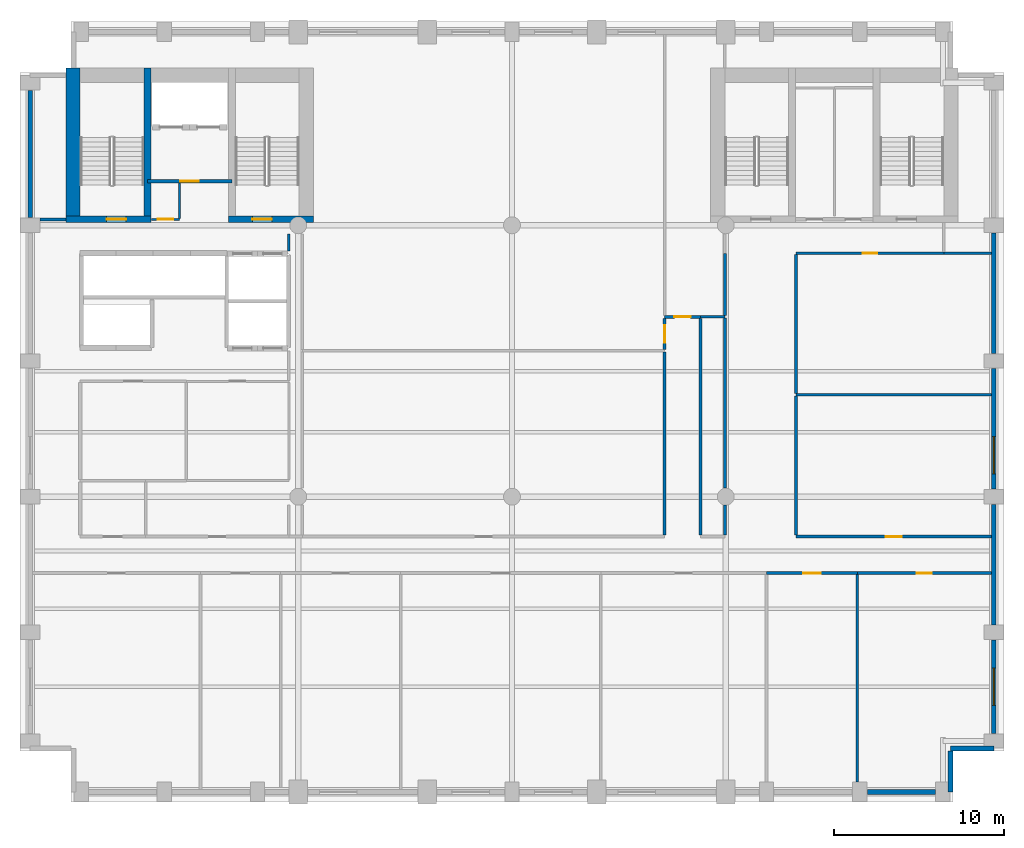
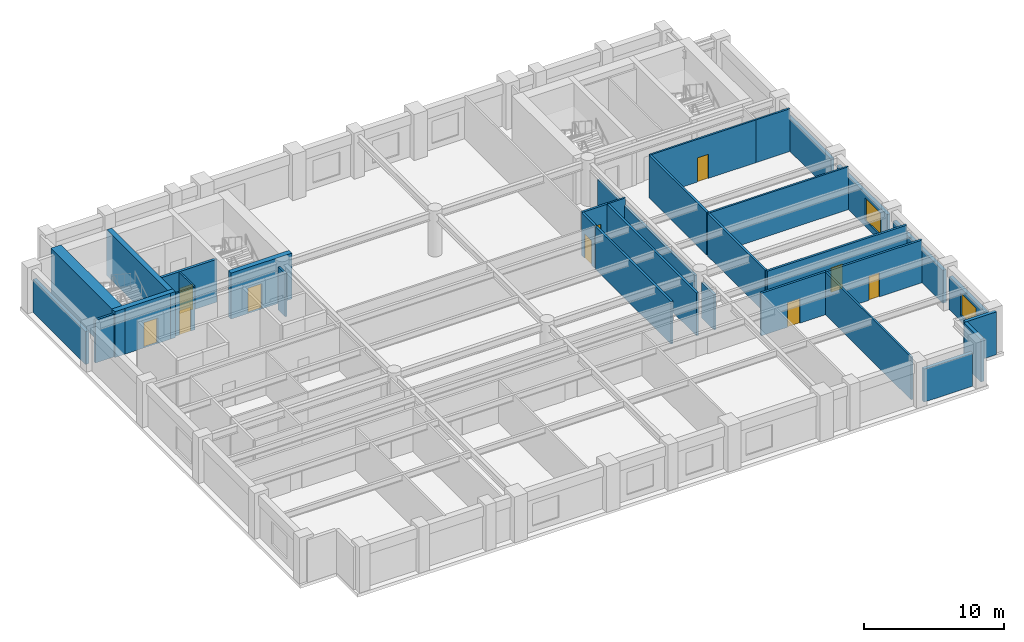
# One storey, part 4 of 8: 34 walls, 10 doors, 2 windows, 12 openings.
"""IFC4 building model written with IfcOpenShell, lengths in metres."""

from ifc_helpers import new_model, si_unit, direction, frame, frame_2d, origin, place, context, subcontext, project, spatial, rectangle, extrude, material, layer, layer_set, type_object, element, fill, save


model = new_model("IFC4")

# Units and contexts
model_context = context("Model", 3, precision=1e-05, world=origin(), true_north=direction((0.0, 1.0)))
body_context = subcontext(model_context, "Body", "Model", "MODEL_VIEW")
ifc_project = project(units=[si_unit("LENGTHUNIT", "METRE"), si_unit("AREAUNIT", "SQUARE_METRE"), si_unit("VOLUMEUNIT", "CUBIC_METRE"), si_unit("PLANEANGLEUNIT", "RADIAN"), si_unit("MASSUNIT", "GRAM", prefix="KILO")], contexts=[model_context])

# Site, building, storey
site_placement = place(None, origin())
site = spatial("IfcSite", under=ifc_project, at=site_placement, CompositionType="ELEMENT")
building_placement = place(site_placement, origin())
building = spatial("IfcBuilding", under=site, at=building_placement, Name="Sulina Concourse Tower", CompositionType="ELEMENT")
storey_placement = place(building_placement, frame((0.0, 0.0, 124.60009765625)))
storey = spatial("IfcBuildingStorey", under=building, at=storey_placement, Name="L30", CompositionType="ELEMENT", Elevation=124.60009765625)

# Wall, opening, door
ifc_material_1 = material(Name="Gypsum board on steel stud", Category="steel")
ifc_layer_1 = layer(ifc_material_1, 0.219970703125)
ifc_layer_set_1 = layer_set([ifc_layer_1], Name="Gypsum board on steel stud")
wall_type_1 = type_object("IfcWallType", Name="Fire-Rated Lobby & Compartment Wall 220mm", PredefinedType="PARTITIONING", material=ifc_layer_set_1)
wall_1_placement = place(storey_placement, frame((7.510009765625, 36.60009765625, 0.0), z_axis=(0.0, 0.0, 1.0), x_axis=(1.0, 0.0, 0.0)))
wall_1 = element("IfcWall", 1, at=wall_1_placement, inside=storey, type_object=wall_type_1, Name="L30 firefighting lobby south fire wall", PredefinedType="PARTITIONING", context=body_context, shape_type="SweptSolid", body=[
    extrude(rectangle(XDim=4.97998046875, YDim=0.219970703125, at=frame_2d((2.489990234375, 0.0))), origin(), (0.0, 0.0, 1.0), 3.724853515625),
])
opening_1_placement = place(wall_1_placement, frame((1.93994140625, 0.0, 0.0)))
opening_1 = element("IfcOpeningElement", 2, at=opening_1_placement, cuts=wall_1, Name="Opening DR-47", PredefinedType="OPENING", context=body_context, shape_type="SweptSolid", body=[
    extrude(rectangle(XDim=1.10009765625, YDim=2.199951171875, at=frame_2d((0.550048828125, 1.10009765625))), frame((0.0, 0.119873046875, 0.0), z_axis=(0.0, -1.0, 0.0), x_axis=(1.0, 0.0, 0.0)), (0.0, 0.0, 1.0), 0.239990234375),
])
ifc_material_2 = material(Name="Galvanised steel acoustic fire leaf", Category="steel")
ifc_layer_2 = layer(ifc_material_2, 0.054931640625)
ifc_layer_set_2 = layer_set([ifc_layer_2], Name="Galvanised steel acoustic fire leaf")
door_type_1 = type_object("IfcDoorType", Name="Firefighting Lobby Fire Door 1100x2200", OperationType="NOTDEFINED", PredefinedType="DOOR", material=ifc_layer_set_2)
door_1_placement = place(opening_1_placement, origin())
door_1 = element("IfcDoor", 3, at=door_1_placement, inside=storey, type_object=door_type_1, Name="L30 firefighting lobby fire door", OperationType="SINGLE_SWING_LEFT", OverallHeight=2.199951171875, OverallWidth=1.10009765625, PredefinedType="DOOR", context=body_context, shape_type="SweptSolid", body=[
    extrude(rectangle(XDim=1.10009765625, YDim=2.199951171875, at=frame_2d((0.550048828125, 1.10009765625))), frame((0.0, 0.02490234375, 0.0), z_axis=(0.0, -1.0, 0.0), x_axis=(1.0, 0.0, 0.0)), (0.0, 0.0, 1.0), 0.050048828125),
])
fill(opening_1, door_1)

# Walls
ifc_material_3 = material(Name="Gypsum board on steel stud", Category="steel")
ifc_layer_3 = layer(ifc_material_3, 0.14990234375)
ifc_layer_set_3 = layer_set([ifc_layer_3], Name="Gypsum board on steel stud")
wall_type_2 = type_object("IfcWallType", Name="Inter-Tenancy Acoustic Partition 150mm", PredefinedType="PARTITIONING", material=ifc_layer_set_3)
wall_2_placement = place(storey_placement, frame((45.75, 24.0, 0.0), z_axis=(0.0, 0.0, 1.0), x_axis=(1.0, 0.0, 0.0)))
element("IfcWall", 4, at=wall_2_placement, inside=storey, type_object=wall_type_2, Name="L30 interior partition 017", PredefinedType="PARTITIONING", context=body_context, shape_type="SweptSolid", body=[
    extrude(rectangle(XDim=11.510009765625, YDim=0.14990234375, at=frame_2d((5.7548828125, 0.0))), origin(), (0.0, 0.0, 1.0), 3.724853515625),
])
wall_3_placement = place(storey_placement, frame((40.10009765625, 28.60009765625, 0.0), z_axis=(0.0, 0.0, 1.0), x_axis=(1.0, 0.0, 0.0)))
element("IfcWall", 5, at=wall_3_placement, inside=storey, type_object=wall_type_2, Name="L30 interior partition 022", PredefinedType="PARTITIONING", context=body_context, shape_type="SweptSolid", body=[
    extrude(rectangle(XDim=1.449951171875, YDim=0.14990234375, at=frame_2d((0.72509765625, 0.0))), origin(), (0.0, 0.0, 1.0), 3.724853515625),
])

# Wall, opening, door
wall_4_placement = place(storey_placement, frame((45.75, 32.35009765625, 0.0), z_axis=(0.0, 0.0, 1.0), x_axis=(1.0, 0.0, 0.0)))
wall_4 = element("IfcWall", 6, at=wall_4_placement, inside=storey, type_object=wall_type_2, Name="L30 interior partition 023", PredefinedType="PARTITIONING", context=body_context, shape_type="SweptSolid", body=[
    extrude(rectangle(XDim=8.699951171875, YDim=0.14990234375, at=frame_2d((4.35009765625, 0.0))), origin(), (0.0, 0.0, 1.0), 3.724853515625),
])
opening_2_placement = place(wall_4_placement, frame((3.909912109375, 0.0, 0.0)))
opening_2 = element("IfcOpeningElement", 7, at=opening_2_placement, cuts=wall_4, Name="Opening DR-38", PredefinedType="OPENING", context=body_context, shape_type="SweptSolid", body=[
    extrude(rectangle(XDim=0.8798828125, YDim=2.10009765625, at=frame_2d((0.43994140625, 1.050048828125))), frame((0.0, 0.0849609375, 0.0), z_axis=(0.0, -1.0, 0.0), x_axis=(1.0, 0.0, 0.0)), (0.0, 0.0, 1.0), 0.169921875),
])
ifc_material_4 = material(Name="Galvanised steel acoustic fire leaf", Category="steel")
ifc_layer_4 = layer(ifc_material_4, 0.050048828125)
ifc_layer_set_4 = layer_set([ifc_layer_4], Name="Galvanised steel acoustic fire leaf")
door_type_2 = type_object("IfcDoorType", Name="Service Riser Fire Door 880x2100", OperationType="NOTDEFINED", PredefinedType="DOOR", material=ifc_layer_set_4)
door_2_placement = place(opening_2_placement, origin())
door_2 = element("IfcDoor", 8, at=door_2_placement, inside=storey, type_object=door_type_2, Name="L30 interior door L30-NE2", OperationType="SINGLE_SWING_RIGHT", OverallHeight=2.10009765625, OverallWidth=0.8798828125, PredefinedType="DOOR", context=body_context, shape_type="SweptSolid", body=[
    extrude(rectangle(XDim=0.8798828125, YDim=2.10009765625, at=frame_2d((0.43994140625, 1.050048828125))), frame((0.0, 0.02490234375, 0.0), z_axis=(0.0, -1.0, 0.0), x_axis=(1.0, 0.0, 0.0)), (0.0, 0.0, 1.0), 0.050048828125),
])
fill(opening_2, door_2)

# Walls
wall_5_placement = place(storey_placement, frame((54.449951171875, 32.35009765625, 0.0), z_axis=(0.0, 0.0, 1.0), x_axis=(1.0, 0.0, 0.0)))
element("IfcWall", 9, at=wall_5_placement, inside=storey, type_object=wall_type_2, Name="L30 interior partition 024", PredefinedType="PARTITIONING", context=body_context, shape_type="SweptSolid", body=[
    extrude(rectangle(XDim=2.81005859375, YDim=0.14990234375, at=frame_2d((1.405029296875, 0.0))), origin(), (0.0, 0.0, 1.0), 3.724853515625),
])
wall_6_placement = place(storey_placement, frame((15.85009765625, 32.469970703125, 0.0), z_axis=(0.0, 0.0, 1.0), x_axis=(0.0, 1.0, 0.0)))
element("IfcWall", 10, at=wall_6_placement, inside=storey, type_object=wall_type_2, Name="L30 interior partition 039", PredefinedType="PARTITIONING", context=body_context, shape_type="SweptSolid", body=[
    extrude(rectangle(XDim=1.030029296875, YDim=0.14990234375, at=frame_2d((0.51513671875, 0.0))), origin(), (0.0, 0.0, 1.0), 3.724853515625),
])
wall_7_placement = place(storey_placement, frame((49.360107421875, 1.175048828125, 0.0), z_axis=(0.0, 0.0, 1.0), x_axis=(0.0, 1.0, 0.0)))
element("IfcWall", 11, at=wall_7_placement, inside=storey, type_object=wall_type_2, Name="L30 interior partition 058", PredefinedType="PARTITIONING", context=body_context, shape_type="SweptSolid", body=[
    extrude(rectangle(XDim=12.23486328125, YDim=0.14990234375, at=frame_2d((6.117431640625, 0.0))), origin(), (0.0, 0.0, 1.0), 3.724853515625),
])

# Wall, opening, door
ifc_material_5 = material(Name="Gypsum board on steel stud", Category="steel")
ifc_layer_5 = layer(ifc_material_5, 0.179931640625)
ifc_layer_set_5 = layer_set([ifc_layer_5], Name="Gypsum board on steel stud")
wall_type_3 = type_object("IfcWallType", Name="Protected Corridor & Riser Partition 180mm", PredefinedType="PARTITIONING", material=ifc_layer_set_5)
wall_8_placement = place(storey_placement, frame((44.0, 13.5, 0.0), z_axis=(0.0, 0.0, 1.0), x_axis=(1.0, 0.0, 0.0)))
wall_8 = element("IfcWall", 12, at=wall_8_placement, inside=storey, type_object=wall_type_3, Name="L30 interior partition 006", PredefinedType="PARTITIONING", context=body_context, shape_type="SweptSolid", body=[
    extrude(rectangle(XDim=5.360107421875, YDim=0.179931640625, at=frame_2d((2.68017578125, 0.0))), origin(), (0.0, 0.0, 1.0), 3.724853515625),
])
opening_3_placement = place(wall_8_placement, frame((2.155029296875, 0.0, 0.0)))
opening_3 = element("IfcOpeningElement", 13, at=opening_3_placement, cuts=wall_8, Name="Opening DR-37", PredefinedType="OPENING", context=body_context, shape_type="SweptSolid", body=[
    extrude(rectangle(XDim=1.050048828125, YDim=2.14990234375, at=frame_2d((0.52490234375, 1.074951171875))), frame((0.0, 0.099853515625, 0.0), z_axis=(0.0, -1.0, 0.0), x_axis=(1.0, 0.0, 0.0)), (0.0, 0.0, 1.0), 0.199951171875),
])
ifc_material_6 = material(Name="Oak-veneered fire door leaf")
ifc_layer_6 = layer(ifc_material_6, 0.050048828125)
ifc_layer_set_6 = layer_set([ifc_layer_6], Name="Oak-veneered fire door leaf")
door_type_3 = type_object("IfcDoorType", Name="Tenant Suite Entrance Fire Door 1050x2150", OperationType="NOTDEFINED", PredefinedType="DOOR", material=ifc_layer_set_6)
door_3_placement = place(opening_3_placement, origin())
door_3 = element("IfcDoor", 14, at=door_3_placement, inside=storey, type_object=door_type_3, Name="L30 interior door L30-S05A", OperationType="SINGLE_SWING_LEFT", OverallHeight=2.14990234375, OverallWidth=1.050048828125, PredefinedType="DOOR", context=body_context, shape_type="SweptSolid", body=[
    extrude(rectangle(XDim=1.050048828125, YDim=2.14990234375, at=frame_2d((0.52490234375, 1.074951171875))), frame((0.0, 0.02490234375, 0.0), z_axis=(0.0, -1.0, 0.0), x_axis=(1.0, 0.0, 0.0)), (0.0, 0.0, 1.0), 0.050048828125),
])
fill(opening_3, door_3)

wall_9_placement = place(storey_placement, frame((49.360107421875, 13.5, 0.0), z_axis=(0.0, 0.0, 1.0), x_axis=(1.0, 0.0, 0.0)))
wall_9 = element("IfcWall", 15, at=wall_9_placement, inside=storey, type_object=wall_type_3, Name="L30 interior partition 007", PredefinedType="PARTITIONING", context=body_context, shape_type="SweptSolid", body=[
    extrude(rectangle(XDim=7.89990234375, YDim=0.179931640625, at=frame_2d((3.949951171875, 0.0))), origin(), (0.0, 0.0, 1.0), 3.724853515625),
])
opening_4_placement = place(wall_9_placement, frame((3.510009765625, 0.0, 0.0)))
opening_4 = element("IfcOpeningElement", 16, at=opening_4_placement, cuts=wall_9, Name="Opening DR-38", PredefinedType="OPENING", context=body_context, shape_type="SweptSolid", body=[
    extrude(rectangle(XDim=0.8798828125, YDim=2.10009765625, at=frame_2d((0.43994140625, 1.050048828125))), frame((0.0, 0.099853515625, 0.0), z_axis=(0.0, -1.0, 0.0), x_axis=(1.0, 0.0, 0.0)), (0.0, 0.0, 1.0), 0.199951171875),
])
door_4_placement = place(opening_4_placement, origin())
door_4 = element("IfcDoor", 17, at=door_4_placement, inside=storey, type_object=door_type_2, Name="L30 interior door L30-S05B", OperationType="SINGLE_SWING_RIGHT", OverallHeight=2.10009765625, OverallWidth=0.8798828125, PredefinedType="DOOR", context=body_context, shape_type="SweptSolid", body=[
    extrude(rectangle(XDim=0.8798828125, YDim=2.10009765625, at=frame_2d((0.43994140625, 1.050048828125))), frame((0.0, 0.02490234375, 0.0), z_axis=(0.0, -1.0, 0.0), x_axis=(1.0, 0.0, 0.0)), (0.0, 0.0, 1.0), 0.050048828125),
])
fill(opening_4, door_4)

wall_10_placement = place(storey_placement, frame((45.75, 15.64990234375, 0.0), z_axis=(0.0, 0.0, 1.0), x_axis=(1.0, 0.0, 0.0)))
wall_10 = element("IfcWall", 18, at=wall_10_placement, inside=storey, type_object=wall_type_3, Name="L30 interior partition 013", PredefinedType="PARTITIONING", context=body_context, shape_type="SweptSolid", body=[
    extrude(rectangle(XDim=11.510009765625, YDim=0.179931640625, at=frame_2d((5.7548828125, 0.0))), origin(), (0.0, 0.0, 1.0), 3.724853515625),
])
opening_5_placement = place(wall_10_placement, frame((5.280029296875, 0.0, 0.0)))
opening_5 = element("IfcOpeningElement", 19, at=opening_5_placement, cuts=wall_10, Name="Opening DR-19", PredefinedType="OPENING", context=body_context, shape_type="SweptSolid", body=[
    extrude(rectangle(XDim=0.949951171875, YDim=2.14990234375, at=frame_2d((0.47509765625, 1.074951171875))), frame((0.0, 0.099853515625, 0.0), z_axis=(0.0, -1.0, 0.0), x_axis=(1.0, 0.0, 0.0)), (0.0, 0.0, 1.0), 0.199951171875),
])
ifc_material_7 = material(Name="Oak-veneered acoustic timber leaf", Category="wood")
ifc_layer_7 = layer(ifc_material_7, 0.050048828125)
ifc_layer_set_7 = layer_set([ifc_layer_7], Name="Oak-veneered acoustic timber leaf")
door_type_4 = type_object("IfcDoorType", Name="Cellular Office & Meeting Door 950x2150", OperationType="NOTDEFINED", PredefinedType="DOOR", material=ifc_layer_set_7)
door_5_placement = place(opening_5_placement, origin())
door_5 = element("IfcDoor", 20, at=door_5_placement, inside=storey, type_object=door_type_4, Name="L30 interior door L30-NE1", OperationType="SINGLE_SWING_RIGHT", OverallHeight=2.14990234375, OverallWidth=0.949951171875, PredefinedType="DOOR", context=body_context, shape_type="SweptSolid", body=[
    extrude(rectangle(XDim=0.949951171875, YDim=2.14990234375, at=frame_2d((0.47509765625, 1.074951171875))), frame((0.0, 0.02490234375, 0.0), z_axis=(0.0, -1.0, 0.0), x_axis=(1.0, 0.0, 0.0)), (0.0, 0.0, 1.0), 0.050048828125),
])
fill(opening_5, door_5)

wall_11_placement = place(storey_placement, frame((38.0, 28.60009765625, 0.0), z_axis=(0.0, 0.0, 1.0), x_axis=(1.0, 0.0, 0.0)))
wall_11 = element("IfcWall", 21, at=wall_11_placement, inside=storey, type_object=wall_type_3, Name="L30 interior partition 021", PredefinedType="PARTITIONING", context=body_context, shape_type="SweptSolid", body=[
    extrude(rectangle(XDim=2.10009765625, YDim=0.179931640625, at=frame_2d((1.050048828125, 0.0))), origin(), (0.0, 0.0, 1.0), 3.724853515625),
])
opening_6_placement = place(wall_11_placement, frame((0.574951171875, 0.0, 0.0)))
opening_6 = element("IfcOpeningElement", 22, at=opening_6_placement, cuts=wall_11, Name="Opening DR-19", PredefinedType="OPENING", context=body_context, shape_type="SweptSolid", body=[
    extrude(rectangle(XDim=0.949951171875, YDim=2.14990234375, at=frame_2d((0.47509765625, 1.074951171875))), frame((0.0, 0.099853515625, 0.0), z_axis=(0.0, -1.0, 0.0), x_axis=(1.0, 0.0, 0.0)), (0.0, 0.0, 1.0), 0.199951171875),
])
door_6_placement = place(opening_6_placement, origin())
door_6 = element("IfcDoor", 23, at=door_6_placement, inside=storey, type_object=door_type_4, Name="L30 interior door L30-NC4", OperationType="SINGLE_SWING_LEFT", OverallHeight=2.14990234375, OverallWidth=0.949951171875, PredefinedType="DOOR", context=body_context, shape_type="SweptSolid", body=[
    extrude(rectangle(XDim=0.949951171875, YDim=2.14990234375, at=frame_2d((0.47509765625, 1.074951171875))), frame((0.0, 0.02490234375, 0.0), z_axis=(0.0, -1.0, 0.0), x_axis=(1.0, 0.0, 0.0)), (0.0, 0.0, 1.0), 0.050048828125),
])
fill(opening_6, door_6)

# Walls
wall_12_placement = place(storey_placement, frame((1.175048828125, 34.35009765625, 0.0), z_axis=(0.0, 0.0, 1.0), x_axis=(1.0, 0.0, 0.0)))
element("IfcWall", 24, at=wall_12_placement, inside=storey, type_object=wall_type_3, Name="L30 interior partition 025", PredefinedType="PARTITIONING", context=body_context, shape_type="SweptSolid", body=[
    extrude(rectangle(XDim=1.52490234375, YDim=0.179931640625, at=frame_2d((0.762451171875, 0.0))), origin(), (0.0, 0.0, 1.0), 3.724853515625),
])
wall_13_placement = place(storey_placement, frame((38.0, 15.739990234375, 0.0), z_axis=(0.0, 0.0, 1.0), x_axis=(0.0, 1.0, 0.0)))
element("IfcWall", 25, at=wall_13_placement, inside=storey, type_object=wall_type_3, Name="L30 interior partition 045", PredefinedType="PARTITIONING", context=body_context, shape_type="SweptSolid", body=[
    extrude(rectangle(XDim=10.784912109375, YDim=0.179931640625, at=frame_2d((5.392578125, 0.0))), origin(), (0.0, 0.0, 1.0), 3.724853515625),
])

# Wall, opening, door
wall_14_placement = place(storey_placement, frame((38.0, 26.675048828125, 0.0), z_axis=(0.0, 0.0, 1.0), x_axis=(0.0, 1.0, 0.0)))
wall_14 = element("IfcWall", 26, at=wall_14_placement, inside=storey, type_object=wall_type_3, Name="L30 interior partition 046", PredefinedType="PARTITIONING", context=body_context, shape_type="SweptSolid", body=[
    extrude(rectangle(XDim=1.8349609375, YDim=0.179931640625, at=frame_2d((0.91748046875, 0.0))), origin(), (0.0, 0.0, 1.0), 3.724853515625),
])
opening_7_placement = place(wall_14_placement, frame((0.392578125, 0.0, 0.0)))
opening_7 = element("IfcOpeningElement", 27, at=opening_7_placement, cuts=wall_14, Name="Opening DR-37", PredefinedType="OPENING", context=body_context, shape_type="SweptSolid", body=[
    extrude(rectangle(XDim=1.050048828125, YDim=2.14990234375, at=frame_2d((0.52490234375, 1.074951171875))), frame((0.0, 0.099853515625, 0.0), z_axis=(0.0, -1.0, 0.0), x_axis=(1.0, 0.0, 0.0)), (0.0, 0.0, 1.0), 0.199951171875),
])
door_7_placement = place(opening_7_placement, origin())
door_7 = element("IfcDoor", 28, at=door_7_placement, inside=storey, type_object=door_type_3, Name="L30 interior door L30-NC2", OperationType="SINGLE_SWING_RIGHT", OverallHeight=2.14990234375, OverallWidth=1.050048828125, PredefinedType="DOOR", context=body_context, shape_type="SweptSolid", body=[
    extrude(rectangle(XDim=1.050048828125, YDim=2.14990234375, at=frame_2d((0.52490234375, 1.074951171875))), frame((0.0, 0.02490234375, 0.0), z_axis=(0.0, -1.0, 0.0), x_axis=(1.0, 0.0, 0.0)), (0.0, 0.0, 1.0), 0.050048828125),
])
fill(opening_7, door_7)

# Walls
wall_15_placement = place(storey_placement, frame((40.10009765625, 15.739990234375, 0.0), z_axis=(0.0, 0.0, 1.0), x_axis=(0.0, 1.0, 0.0)))
element("IfcWall", 29, at=wall_15_placement, inside=storey, type_object=wall_type_3, Name="L30 interior partition 048", PredefinedType="PARTITIONING", context=body_context, shape_type="SweptSolid", body=[
    extrude(rectangle(XDim=12.77001953125, YDim=0.179931640625, at=frame_2d((6.385009765625, 0.0))), origin(), (0.0, 0.0, 1.0), 3.724853515625),
])
wall_16_placement = place(storey_placement, frame((41.550048828125, 15.739990234375, 0.0), z_axis=(0.0, 0.0, 1.0), x_axis=(0.0, 1.0, 0.0)))
element("IfcWall", 30, at=wall_16_placement, inside=storey, type_object=wall_type_3, Name="L30 interior partition 049", PredefinedType="PARTITIONING", context=body_context, shape_type="SweptSolid", body=[
    extrude(rectangle(XDim=1.760009765625, YDim=0.179931640625, at=frame_2d((0.8798828125, 0.0))), origin(), (0.0, 0.0, 1.0), 3.06982421875),
])
wall_17_placement = place(storey_placement, frame((41.550048828125, 18.5, 0.0), z_axis=(0.0, 0.0, 1.0), x_axis=(0.0, 1.0, 0.0)))
element("IfcWall", 31, at=wall_17_placement, inside=storey, type_object=wall_type_3, Name="L30 interior partition 050", PredefinedType="PARTITIONING", context=body_context, shape_type="SweptSolid", body=[
    extrude(rectangle(XDim=10.02490234375, YDim=0.179931640625, at=frame_2d((5.012451171875, 0.0))), origin(), (0.0, 0.0, 1.0), 3.06982421875),
])
wall_18_placement = place(storey_placement, frame((41.550048828125, 28.675048828125, 0.0), z_axis=(0.0, 0.0, 1.0), x_axis=(0.0, 1.0, 0.0)))
element("IfcWall", 32, at=wall_18_placement, inside=storey, type_object=wall_type_3, Name="L30 interior partition 051", PredefinedType="PARTITIONING", context=body_context, shape_type="SweptSolid", body=[
    extrude(rectangle(XDim=3.675048828125, YDim=0.179931640625, at=frame_2d((1.83740234375, 0.0))), origin(), (0.0, 0.0, 1.0), 3.06982421875),
])
wall_19_placement = place(storey_placement, frame((45.75, 15.739990234375, 0.0), z_axis=(0.0, 0.0, 1.0), x_axis=(0.0, 1.0, 0.0)))
element("IfcWall", 33, at=wall_19_placement, inside=storey, type_object=wall_type_3, Name="L30 interior partition 055", PredefinedType="PARTITIONING", context=body_context, shape_type="SweptSolid", body=[
    extrude(rectangle(XDim=8.18505859375, YDim=0.179931640625, at=frame_2d((4.092529296875, 0.0))), origin(), (0.0, 0.0, 1.0), 3.724853515625),
])
wall_20_placement = place(storey_placement, frame((45.75, 24.074951171875, 0.0), z_axis=(0.0, 0.0, 1.0), x_axis=(0.0, 1.0, 0.0)))
element("IfcWall", 34, at=wall_20_placement, inside=storey, type_object=wall_type_3, Name="L30 interior partition 056", PredefinedType="PARTITIONING", context=body_context, shape_type="SweptSolid", body=[
    extrude(rectangle(XDim=8.199951171875, YDim=0.179931640625, at=frame_2d((4.10009765625, 0.0))), origin(), (0.0, 0.0, 1.0), 3.724853515625),
])

# Wall, opening, door
ifc_material_8 = material(Name="Concrete C60/75", Category="concrete")
ifc_layer_8 = layer(ifc_material_8, 0.39990234375)
ifc_layer_set_8 = layer_set([ifc_layer_8], Name="Concrete C60/75")
wall_type_4 = type_object("IfcWallType", Name="Protected Stair Core Shear Wall 400mm", PredefinedType="SHEAR", material=ifc_layer_set_8)
wall_21_placement = place(storey_placement, frame((2.699951171875, 34.35009765625, 0.0), z_axis=(0.0, 0.0, 1.0), x_axis=(1.0, 0.0, 0.0)))
wall_21 = element("IfcWall", 35, at=wall_21_placement, inside=storey, type_object=wall_type_4, Name="L30 west core shear wall CW-WS1", PredefinedType="SHEAR", context=body_context, shape_type="SweptSolid", body=[
    extrude(rectangle(XDim=5.010009765625, YDim=0.39990234375, at=frame_2d((2.5048828125, 0.0))), origin(), (0.0, 0.0, 1.0), 4.0),
])
opening_8_placement = place(wall_21_placement, frame((2.39990234375, 0.0, 0.0)))
opening_8 = element("IfcOpeningElement", 36, at=opening_8_placement, cuts=wall_21, Name="Opening DR-60", PredefinedType="OPENING", context=body_context, shape_type="SweptSolid", body=[
    extrude(rectangle(XDim=1.14990234375, YDim=2.199951171875, at=frame_2d((0.574951171875, 1.10009765625))), frame((0.0, 0.2099609375, 0.0), z_axis=(0.0, -1.0, 0.0), x_axis=(1.0, 0.0, 0.0)), (0.0, 0.0, 1.0), 0.419921875),
])
ifc_material_9 = material(Name="Galvanised steel acoustic fire leaf", Category="steel")
ifc_layer_9 = layer(ifc_material_9, 0.054931640625)
ifc_layer_set_9 = layer_set([ifc_layer_9], Name="Galvanised steel acoustic fire leaf")
door_type_5 = type_object("IfcDoorType", Name="Protected Exit Stair Fire Door 1150x2200", OperationType="NOTDEFINED", PredefinedType="DOOR", material=ifc_layer_set_9)
door_8_placement = place(opening_8_placement, origin())
door_8 = element("IfcDoor", 37, at=door_8_placement, inside=storey, type_object=door_type_5, Name="L30 stair ST-1 lobby fire door", OperationType="SINGLE_SWING_LEFT", OverallHeight=2.199951171875, OverallWidth=1.14990234375, PredefinedType="DOOR", context=body_context, shape_type="SweptSolid", body=[
    extrude(rectangle(XDim=1.14990234375, YDim=2.199951171875, at=frame_2d((0.574951171875, 1.10009765625))), frame((0.0, 0.02490234375, 0.0), z_axis=(0.0, -1.0, 0.0), x_axis=(1.0, 0.0, 0.0)), (0.0, 0.0, 1.0), 0.050048828125),
])
fill(opening_8, door_8)

wall_22_placement = place(storey_placement, frame((12.2900390625, 34.35009765625, 0.0), z_axis=(0.0, 0.0, 1.0), x_axis=(1.0, 0.0, 0.0)))
wall_22 = element("IfcWall", 38, at=wall_22_placement, inside=storey, type_object=wall_type_4, Name="L30 west core shear wall CW-WS2", PredefinedType="SHEAR", context=body_context, shape_type="SweptSolid", body=[
    extrude(rectangle(XDim=5.010009765625, YDim=0.39990234375, at=frame_2d((2.5048828125, 0.0))), origin(), (0.0, 0.0, 1.0), 4.0),
])
opening_9_placement = place(wall_22_placement, frame((1.39990234375, 0.0, 0.0)))
opening_9 = element("IfcOpeningElement", 39, at=opening_9_placement, cuts=wall_22, Name="Opening DR-60", PredefinedType="OPENING", context=body_context, shape_type="SweptSolid", body=[
    extrude(rectangle(XDim=1.14990234375, YDim=2.199951171875, at=frame_2d((0.574951171875, 1.10009765625))), frame((0.0, 0.2099609375, 0.0), z_axis=(0.0, -1.0, 0.0), x_axis=(1.0, 0.0, 0.0)), (0.0, 0.0, 1.0), 0.419921875),
])
door_9_placement = place(opening_9_placement, origin())
door_9 = element("IfcDoor", 40, at=door_9_placement, inside=storey, type_object=door_type_5, Name="L30 stair ST-2 lobby fire door", OperationType="SINGLE_SWING_RIGHT", OverallHeight=2.199951171875, OverallWidth=1.14990234375, PredefinedType="DOOR", context=body_context, shape_type="SweptSolid", body=[
    extrude(rectangle(XDim=1.14990234375, YDim=2.199951171875, at=frame_2d((0.574951171875, 1.10009765625))), frame((0.0, 0.02490234375, 0.0), z_axis=(0.0, -1.0, 0.0), x_axis=(1.0, 0.0, 0.0)), (0.0, 0.0, 1.0), 0.050048828125),
])
fill(opening_9, door_9)

# Walls
wall_23_placement = place(storey_placement, frame((7.510009765625, 34.14990234375, 0.0), z_axis=(0.0, 0.0, 1.0), x_axis=(0.0, 1.0, 0.0)))
element("IfcWall", 41, at=wall_23_placement, inside=storey, type_object=wall_type_4, Name="L30 west core shear wall SW-ST1", PredefinedType="SHEAR", context=body_context, shape_type="SweptSolid", body=[
    extrude(rectangle(XDim=9.130126953125, YDim=0.39990234375, at=frame_2d((4.56494140625, 0.0))), origin(), (0.0, 0.0, 1.0), 4.0),
])
ifc_material_10 = material(Name="Concrete C60/75", Category="concrete")
ifc_layer_10 = layer(ifc_material_10, 0.85009765625)
ifc_layer_set_10 = layer_set([ifc_layer_10], Name="Concrete C60/75")
wall_type_5 = type_object("IfcWallType", Name="Rear Core Shear Wall 850mm", PredefinedType="SHEAR", material=ifc_layer_set_10)
wall_24_placement = place(storey_placement, frame((3.125, 34.14990234375, 0.0), z_axis=(0.0, 0.0, 1.0), x_axis=(0.0, 1.0, 0.0)))
element("IfcWall", 42, at=wall_24_placement, inside=storey, type_object=wall_type_5, Name="L30 west core shear wall CW-WW", PredefinedType="SHEAR", context=body_context, shape_type="SweptSolid", body=[
    extrude(rectangle(XDim=9.130126953125, YDim=0.85009765625, at=frame_2d((4.56494140625, 0.0))), origin(), (0.0, 0.0, 1.0), 4.0),
])
ifc_material_11 = material(Name="Precast concrete C50/60", Category="concrete")
ifc_layer_11 = layer(ifc_material_11, 0.280029296875)
ifc_layer_set_11 = layer_set([ifc_layer_11], Name="Precast concrete C50/60")
wall_type_6 = type_object("IfcWallType", Name="Typical Precast Masonry-Frame Facade Wall 280mm", PredefinedType="SOLIDWALL", material=ifc_layer_set_11)
wall_25_placement = place(storey_placement, frame((53.955078125, 0.60009765625, 0.0), z_axis=(0.0, 0.0, 1.0), x_axis=(-1.0, 0.0, 0.0)))
element("IfcWall", 43, at=wall_25_placement, inside=storey, type_object=wall_type_6, Name="L30 exterior precast wall S10", PredefinedType="SOLIDWALL", context=body_context, shape_type="SweptSolid", body=[
    extrude(rectangle(XDim=4.010009765625, YDim=0.280029296875, at=frame_2d((2.0048828125, 0.0))), origin(), (0.0, 0.0, 1.0), 2.875),
])
wall_26_placement = place(storey_placement, frame((0.60009765625, 34.445068359375, 0.0), z_axis=(0.0, 0.0, 1.0), x_axis=(0.0, 1.0, 0.0)))
element("IfcWall", 44, at=wall_26_placement, inside=storey, type_object=wall_type_6, Name="L30 exterior precast wall W5", PredefinedType="SOLIDWALL", context=body_context, shape_type="SweptSolid", body=[
    extrude(rectangle(XDim=7.510009765625, YDim=0.280029296875, at=frame_2d((3.7548828125, 0.0))), origin(), (0.0, 0.0, 1.0), 2.875),
])

# Wall, opening, window
wall_27_placement = place(storey_placement, frame((57.39990234375, 9.554931640625, 0.0), z_axis=(0.0, 0.0, 1.0), x_axis=(0.0, -1.0, 0.0)))
wall_27 = element("IfcWall", 45, at=wall_27_placement, inside=storey, type_object=wall_type_6, Name="L30 exterior precast wall E1", PredefinedType="SOLIDWALL", context=body_context, shape_type="SweptSolid", body=[
    extrude(rectangle(XDim=5.510009765625, YDim=0.280029296875, at=frame_2d((2.7548828125, 0.0))), origin(), (0.0, 0.0, 1.0), 2.875),
])
opening_10_placement = place(wall_27_placement, frame((1.655029296875, 0.0, 0.5)))
opening_10 = element("IfcOpeningElement", 46, at=opening_10_placement, cuts=wall_27, Name="Opening WN-76", PredefinedType="OPENING", context=body_context, shape_type="SweptSolid", body=[
    extrude(rectangle(XDim=2.199951171875, YDim=1.949951171875, at=frame_2d((1.10009765625, 0.97509765625))), frame((0.0, 0.14990234375, 0.0), z_axis=(0.0, -1.0, 0.0), x_axis=(1.0, 0.0, 0.0)), (0.0, 0.0, 1.0), 0.300048828125),
])
ifc_material_12 = material(Name="Low-E solar double glazing in bronze aluminium", Category="aluminium")
window_type = type_object("IfcWindowType", Name="Recessed Spandrel Window 2200x1950", PartitioningType="DOUBLE_PANEL_VERTICAL", PredefinedType="WINDOW", material=ifc_material_12)
window_1_placement = place(opening_10_placement, origin())
window_1 = element("IfcWindow", 47, at=window_1_placement, inside=storey, type_object=window_type, Name="L30 punched window E1-1", OverallHeight=1.949951171875, OverallWidth=2.199951171875, PartitioningType="SINGLE_PANEL", PredefinedType="WINDOW", context=body_context, shape_type="SweptSolid", body=[
    extrude(rectangle(XDim=2.199951171875, YDim=1.949951171875, at=frame_2d((1.10009765625, 0.97509765625))), frame((0.0, 0.030029296875, 0.0), z_axis=(0.0, -1.0, 0.0), x_axis=(1.0, 0.0, 0.0)), (0.0, 0.0, 1.0), 0.06005859375),
])
fill(opening_10, window_1)

# Wall
wall_28_placement = place(storey_placement, frame((57.39990234375, 17.554931640625, 0.0), z_axis=(0.0, 0.0, 1.0), x_axis=(0.0, -1.0, 0.0)))
element("IfcWall", 48, at=wall_28_placement, inside=storey, type_object=wall_type_6, Name="L30 exterior precast wall E2", PredefinedType="SOLIDWALL", context=body_context, shape_type="SweptSolid", body=[
    extrude(rectangle(XDim=7.10986328125, YDim=0.280029296875, at=frame_2d((3.554931640625, 0.0))), origin(), (0.0, 0.0, 1.0), 2.875),
])

# Wall, opening, window
wall_29_placement = place(storey_placement, frame((57.39990234375, 25.554931640625, 0.0), z_axis=(0.0, 0.0, 1.0), x_axis=(0.0, -1.0, 0.0)))
wall_29 = element("IfcWall", 49, at=wall_29_placement, inside=storey, type_object=wall_type_6, Name="L30 exterior precast wall E3", PredefinedType="SOLIDWALL", context=body_context, shape_type="SweptSolid", body=[
    extrude(rectangle(XDim=7.10986328125, YDim=0.280029296875, at=frame_2d((3.554931640625, 0.0))), origin(), (0.0, 0.0, 1.0), 2.875),
])
opening_11_placement = place(wall_29_placement, frame((4.006591796875, 0.0, 0.5)))
opening_11 = element("IfcOpeningElement", 50, at=opening_11_placement, cuts=wall_29, Name="Opening WN-76", PredefinedType="OPENING", context=body_context, shape_type="SweptSolid", body=[
    extrude(rectangle(XDim=2.199951171875, YDim=1.949951171875, at=frame_2d((1.10009765625, 0.97509765625))), frame((0.0, 0.14990234375, 0.0), z_axis=(0.0, -1.0, 0.0), x_axis=(1.0, 0.0, 0.0)), (0.0, 0.0, 1.0), 0.300048828125),
])
window_2_placement = place(opening_11_placement, origin())
window_2 = element("IfcWindow", 51, at=window_2_placement, inside=storey, type_object=window_type, Name="L30 punched window E3-1", OverallHeight=1.949951171875, OverallWidth=2.199951171875, PartitioningType="SINGLE_PANEL", PredefinedType="WINDOW", context=body_context, shape_type="SweptSolid", body=[
    extrude(rectangle(XDim=2.199951171875, YDim=1.949951171875, at=frame_2d((1.10009765625, 0.97509765625))), frame((0.0, 0.030029296875, 0.0), z_axis=(0.0, -1.0, 0.0), x_axis=(1.0, 0.0, 0.0)), (0.0, 0.0, 1.0), 0.06005859375),
])
fill(opening_11, window_2)

# Walls
wall_30_placement = place(storey_placement, frame((57.39990234375, 33.554931640625, 0.0), z_axis=(0.0, 0.0, 1.0), x_axis=(0.0, -1.0, 0.0)))
element("IfcWall", 52, at=wall_30_placement, inside=storey, type_object=wall_type_6, Name="L30 exterior precast wall E4", PredefinedType="SOLIDWALL", context=body_context, shape_type="SweptSolid", body=[
    extrude(rectangle(XDim=7.10986328125, YDim=0.280029296875, at=frame_2d((3.554931640625, 0.0))), origin(), (0.0, 0.0, 1.0), 2.875),
])
wall_31_placement = place(storey_placement, frame((57.39990234375, 3.155029296875, 0.0), z_axis=(0.0, 0.0, 1.0), x_axis=(-1.0, 0.0, 0.0)))
element("IfcWall", 53, at=wall_31_placement, inside=storey, type_object=wall_type_6, Name="L30 exterior precast wall CSE1", PredefinedType="SOLIDWALL", context=body_context, shape_type="SweptSolid", body=[
    extrude(rectangle(XDim=2.554931640625, YDim=0.280029296875, at=frame_2d((1.27734375, 0.0))), origin(), (0.0, 0.0, 1.0), 3.724853515625),
])
wall_32_placement = place(storey_placement, frame((54.844970703125, 3.010009765625, 0.0), z_axis=(0.0, 0.0, 1.0), x_axis=(0.0, -1.0, 0.0)))
element("IfcWall", 54, at=wall_32_placement, inside=storey, type_object=wall_type_6, Name="L30 exterior precast wall CSE2", PredefinedType="SOLIDWALL", context=body_context, shape_type="SweptSolid", body=[
    extrude(rectangle(XDim=2.409912109375, YDim=0.280029296875, at=frame_2d((1.205078125, 0.0))), origin(), (0.0, 0.0, 1.0), 3.724853515625),
])

# Wall, opening, door
ifc_material_13 = material(Name="Gypsum board on steel stud", Category="steel")
ifc_layer_12 = layer(ifc_material_13, 0.125)
ifc_layer_set_12 = layer_set([ifc_layer_12], Name="Gypsum board on steel stud")
wall_type_7 = type_object("IfcWallType", Name="Wet-Area Moisture-Resistant Partition 125mm", PredefinedType="PARTITIONING", material=ifc_layer_set_12)
wall_33_placement = place(storey_placement, frame((7.75, 34.35009765625, 0.0), z_axis=(0.0, 0.0, 1.0), x_axis=(1.0, 0.0, 0.0)))
wall_33 = element("IfcWall", 55, at=wall_33_placement, inside=storey, type_object=wall_type_7, Name="L30 interior partition 026", PredefinedType="PARTITIONING", context=body_context, shape_type="SweptSolid", body=[
    extrude(rectangle(XDim=1.64990234375, YDim=0.125, at=frame_2d((0.824951171875, 0.0))), origin(), (0.0, 0.0, 1.0), 3.724853515625),
])
opening_12_placement = place(wall_33_placement, frame((0.364990234375, 0.0, 0.0)))
opening_12 = element("IfcOpeningElement", 56, at=opening_12_placement, cuts=wall_33, Name="Opening DR-61", PredefinedType="OPENING", context=body_context, shape_type="SweptSolid", body=[
    extrude(rectangle(XDim=0.919921875, YDim=2.10009765625, at=frame_2d((0.4599609375, 1.050048828125))), frame((0.0, 0.072509765625, 0.0), z_axis=(0.0, -1.0, 0.0), x_axis=(1.0, 0.0, 0.0)), (0.0, 0.0, 1.0), 0.14501953125),
])
ifc_material_14 = material(Name="Oak-veneered fire door leaf")
ifc_layer_13 = layer(ifc_material_14, 0.050048828125)
ifc_layer_set_13 = layer_set([ifc_layer_13], Name="Oak-veneered fire door leaf")
door_type_6 = type_object("IfcDoorType", Name="Accessible WC Door 920x2100", OperationType="NOTDEFINED", PredefinedType="DOOR", material=ifc_layer_set_13)
door_10_placement = place(opening_12_placement, origin())
door_10 = element("IfcDoor", 57, at=door_10_placement, inside=storey, type_object=door_type_6, Name="L30 interior door L30-WC-ACC", OperationType="SINGLE_SWING_LEFT", OverallHeight=2.10009765625, OverallWidth=0.919921875, PredefinedType="DOOR", context=body_context, shape_type="SweptSolid", body=[
    extrude(rectangle(XDim=0.919921875, YDim=2.10009765625, at=frame_2d((0.4599609375, 1.050048828125))), frame((0.0, 0.02490234375, 0.0), z_axis=(0.0, -1.0, 0.0), x_axis=(1.0, 0.0, 0.0)), (0.0, 0.0, 1.0), 0.050048828125),
])
fill(opening_12, door_10)

# Wall
wall_34_placement = place(storey_placement, frame((9.39990234375, 34.41259765625, 0.0), z_axis=(0.0, 0.0, 1.0), x_axis=(0.0, 1.0, 0.0)))
element("IfcWall", 58, at=wall_34_placement, inside=storey, type_object=wall_type_7, Name="L30 interior partition 032", PredefinedType="PARTITIONING", context=body_context, shape_type="SweptSolid", body=[
    extrude(rectangle(XDim=2.077392578125, YDim=0.125, at=frame_2d((1.03857421875, 0.0))), origin(), (0.0, 0.0, 1.0), 3.724853515625),
])

save(model, "model.ifc")
